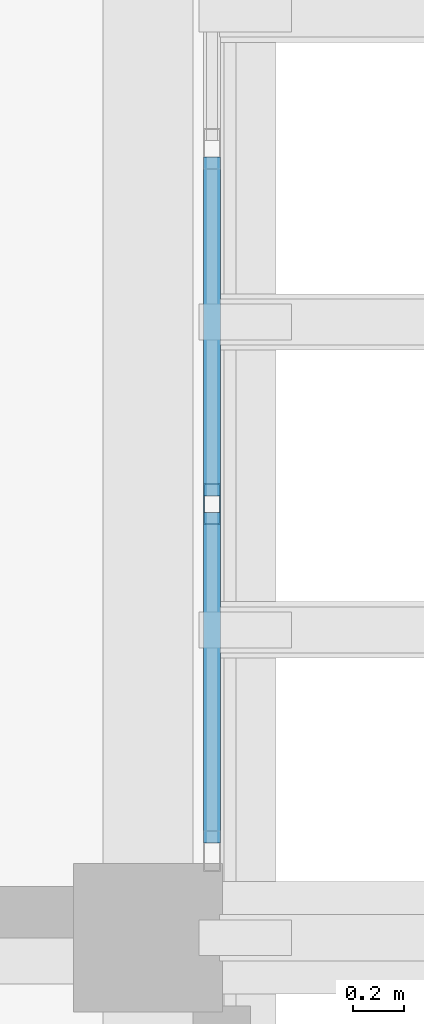
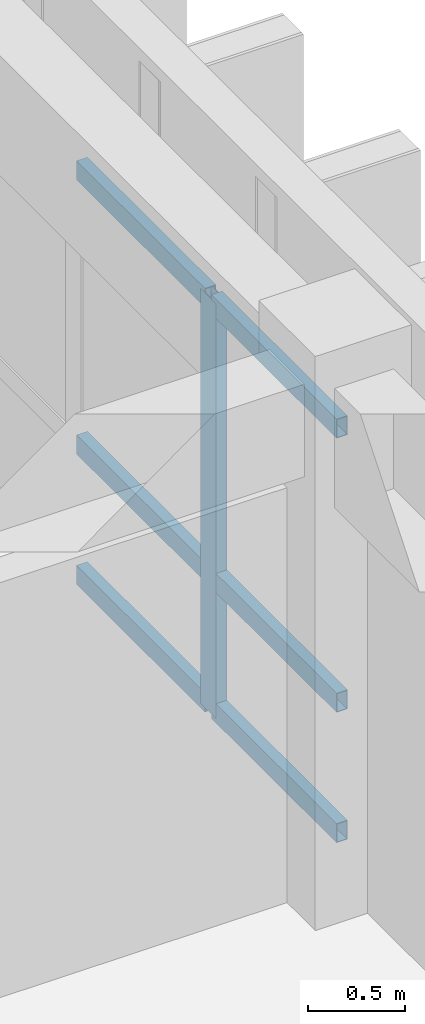
# One storey, part 25 of 49: 7 members, 1 element without a shape of its own.
"""IFC4 building model written with IfcOpenShell, lengths in metres."""

from ifc_helpers import new_model, si_unit, direction, frame, origin, origin_2d, place, context, subcontext, project, spatial, hollow_rectangle, extrude, material, layer, layer_set, material_profile, profile_set, type_object, element, aggregate, save


model = new_model("IFC4")

# Units and contexts
model_context = context("Model", 3, precision=1e-05, world=origin(), true_north=direction((0.0, 1.0)))
body_context = subcontext(model_context, "Body", "Model", "MODEL_VIEW")
ifc_project = project(units=[si_unit("LENGTHUNIT", "METRE"), si_unit("AREAUNIT", "SQUARE_METRE"), si_unit("VOLUMEUNIT", "CUBIC_METRE"), si_unit("PLANEANGLEUNIT", "RADIAN"), si_unit("MASSUNIT", "GRAM", prefix="KILO")], contexts=[model_context])

# Site, building, storey
site_placement = place(None, origin())
site = spatial("IfcSite", under=ifc_project, at=site_placement, CompositionType="ELEMENT")
building_placement = place(site_placement, origin())
building = spatial("IfcBuilding", under=site, at=building_placement, Name="Nakhvara Creek Congress Hotel", CompositionType="ELEMENT")
storey_placement = place(building_placement, frame((0.0, 0.0, 39.0)))
storey = spatial("IfcBuildingStorey", under=building, at=storey_placement, Name="L09", CompositionType="ELEMENT", Elevation=39.0)

# Curtain wall, members
ifc_material_1 = material(Name="Bronze-anodised aluminium AW-6063-T6 and double-silver low-E glass", Category="aluminium")
ifc_layer = layer(ifc_material_1, 0.199951171875)
ifc_layer_set = layer_set([ifc_layer], Name="Bronze-anodised aluminium AW-6063-T6 and double-silver low-E glass")
curtain_wall_type = type_object("IfcCurtainWallType", Name="CW-HTL-UNIT", PredefinedType="USERDEFINED", material=ifc_layer_set)
curtain_wall_placement = place(storey_placement, origin())
curtain_wall = element("IfcCurtainWall", 1, at=curtain_wall_placement, inside=storey, type_object=curtain_wall_type, Name="Curtain Wall CW307", ObjectType="UNITISED", PredefinedType="USERDEFINED")
ifc_material_2 = material(Name="Bronze-anodised aluminium AW-6063-T6", Category="aluminium")
ifc_material_profile_1 = material_profile(ifc_material_2, hollow_rectangle(XDim=0.06494140625, YDim=0.159912109375, WallThickness=0.00390625, at=origin_2d()), Name="ALU-MULL 65x160x4", Category="LoadBearing")
ifc_profile_set_1 = profile_set([ifc_material_profile_1], Name="Bronze-anodised aluminium AW-6063-T6")
member_type_1 = type_object("IfcMemberType", Name="CW-MULL-160", PredefinedType="MULLION", material=ifc_profile_set_1)
member_1_placement = place(storey_placement, frame((179.60009765625, 102.489990234375, 0.0), z_axis=(0.0, 0.0, 1.0), x_axis=(1.0, 0.0, 0.0)))
member_1 = element("IfcMember", 2, at=member_1_placement, type_object=member_type_1, Name="CW307 mullion 3", PredefinedType="MULLION", context=body_context, shape_type="SweptSolid", body=[
    extrude(hollow_rectangle(XDim=0.06494140625, YDim=0.159912109375, WallThickness=0.00390625, at=origin_2d()), origin(), (0.0, 0.0, 1.0), 2.60205078125),
])
ifc_material_profile_2 = material_profile(ifc_material_2, hollow_rectangle(XDim=0.06494140625, YDim=0.1201171875, WallThickness=0.00390625, at=origin_2d()), Name="ALU-TRAN 65x120x4", Category="LoadBearing")
ifc_profile_set_2 = profile_set([ifc_material_profile_2], Name="Bronze-anodised aluminium AW-6063-T6")
member_type_2 = type_object("IfcMemberType", Name="CW-TRAN-120", PredefinedType="USERDEFINED", material=ifc_profile_set_2)
member_2_placement = place(storey_placement, frame((179.60009765625, 103.842529296875, 0.032470703125), z_axis=(0.0, -1.0, 0.0), x_axis=(1.0, 0.0, 0.0)))
member_2 = element("IfcMember", 3, at=member_2_placement, type_object=member_type_2, Name="CW307 transom 2.1", ObjectType="TRANSOM", PredefinedType="USERDEFINED", context=body_context, shape_type="SweptSolid", body=[
    extrude(hollow_rectangle(XDim=0.06494140625, YDim=0.1201171875, WallThickness=0.00390625, at=origin_2d()), origin(), (0.0, 0.0, 1.0), 1.320068359375),
])
member_3_placement = place(storey_placement, frame((179.60009765625, 103.842529296875, 0.85009765625), z_axis=(0.0, -1.0, 0.0), x_axis=(1.0, 0.0, 0.0)))
member_3 = element("IfcMember", 4, at=member_3_placement, type_object=member_type_2, Name="CW307 transom 2.2", ObjectType="TRANSOM", PredefinedType="USERDEFINED", context=body_context, shape_type="SweptSolid", body=[
    extrude(hollow_rectangle(XDim=0.06494140625, YDim=0.1201171875, WallThickness=0.00390625, at=origin_2d()), origin(), (0.0, 0.0, 1.0), 1.320068359375),
])
member_4_placement = place(storey_placement, frame((179.60009765625, 103.842529296875, 2.569580078125), z_axis=(0.0, -1.0, 0.0), x_axis=(1.0, 0.0, 0.0)))
member_4 = element("IfcMember", 5, at=member_4_placement, type_object=member_type_2, Name="CW307 transom 2.3", ObjectType="TRANSOM", PredefinedType="USERDEFINED", context=body_context, shape_type="SweptSolid", body=[
    extrude(hollow_rectangle(XDim=0.06494140625, YDim=0.1201171875, WallThickness=0.00390625, at=origin_2d()), origin(), (0.0, 0.0, 1.0), 1.320068359375),
])
member_5_placement = place(storey_placement, frame((179.60009765625, 102.45751953125, 0.032470703125), z_axis=(0.0, -1.0, 0.0), x_axis=(1.0, 0.0, 0.0)))
member_5 = element("IfcMember", 6, at=member_5_placement, type_object=member_type_2, Name="CW307 transom 3.1", ObjectType="TRANSOM", PredefinedType="USERDEFINED", context=body_context, shape_type="SweptSolid", body=[
    extrude(hollow_rectangle(XDim=0.06494140625, YDim=0.1201171875, WallThickness=0.00390625, at=origin_2d()), origin(), (0.0, 0.0, 1.0), 1.28759765625),
])
member_6_placement = place(storey_placement, frame((179.60009765625, 102.45751953125, 0.85009765625), z_axis=(0.0, -1.0, 0.0), x_axis=(1.0, 0.0, 0.0)))
member_6 = element("IfcMember", 7, at=member_6_placement, type_object=member_type_2, Name="CW307 transom 3.2", ObjectType="TRANSOM", PredefinedType="USERDEFINED", context=body_context, shape_type="SweptSolid", body=[
    extrude(hollow_rectangle(XDim=0.06494140625, YDim=0.1201171875, WallThickness=0.00390625, at=origin_2d()), origin(), (0.0, 0.0, 1.0), 1.28759765625),
])
member_7_placement = place(storey_placement, frame((179.60009765625, 102.45751953125, 2.569580078125), z_axis=(0.0, -1.0, 0.0), x_axis=(1.0, 0.0, 0.0)))
member_7 = element("IfcMember", 8, at=member_7_placement, type_object=member_type_2, Name="CW307 transom 3.3", ObjectType="TRANSOM", PredefinedType="USERDEFINED", context=body_context, shape_type="SweptSolid", body=[
    extrude(hollow_rectangle(XDim=0.06494140625, YDim=0.1201171875, WallThickness=0.00390625, at=origin_2d()), origin(), (0.0, 0.0, 1.0), 1.28759765625),
])
aggregate(curtain_wall, [member_1, member_2, member_3, member_4, member_5, member_6, member_7])

save(model, "model.ifc")
